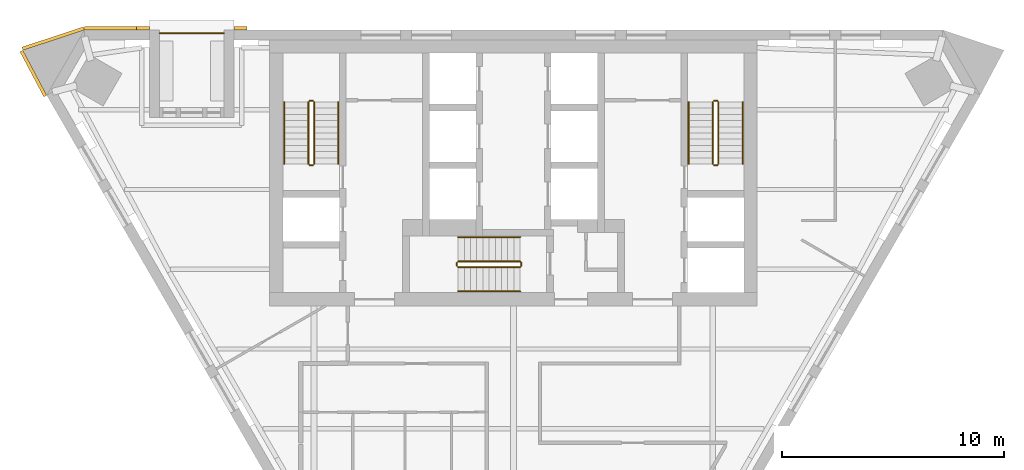
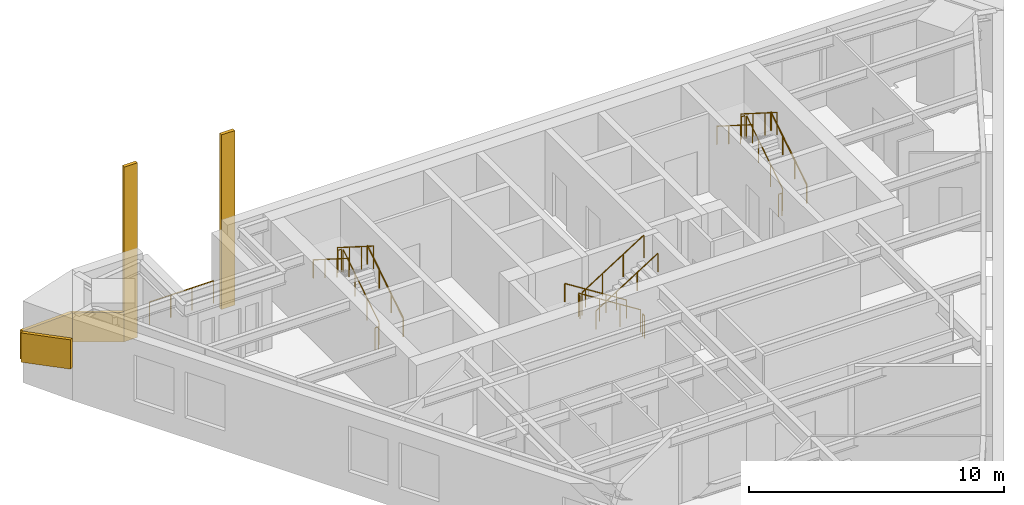
# One storey, part 6 of 6: 19 railings, 5 coverings.
"""IFC4 building model written with IfcOpenShell, lengths in metres."""

from ifc_helpers import new_model, si_unit, direction, frame, origin, origin_2d, place, context, subcontext, project, spatial, polyline, circle, outline, extrude, material, layer, layer_set, type_object, element, save


model = new_model("IFC4")

# Units and contexts
model_context = context("Model", 3, precision=1e-05, world=origin(), true_north=direction((0.0, 1.0)))
body_context = subcontext(model_context, "Body", "Model", "MODEL_VIEW")
ifc_project = project(units=[si_unit("LENGTHUNIT", "METRE"), si_unit("AREAUNIT", "SQUARE_METRE"), si_unit("VOLUMEUNIT", "CUBIC_METRE"), si_unit("PLANEANGLEUNIT", "RADIAN"), si_unit("MASSUNIT", "GRAM", prefix="KILO")], contexts=[model_context])

# Site, building, storey
site_placement = place(None, origin())
site = spatial("IfcSite", under=ifc_project, at=site_placement, CompositionType="ELEMENT")
building_placement = place(site_placement, origin())
building = spatial("IfcBuilding", under=site, at=building_placement, Name="Aloe Facet Convention Tower", CompositionType="ELEMENT")
storey_placement = place(building_placement, frame((0.0, 0.0, 191.89990234375)))
storey = spatial("IfcBuildingStorey", under=building, at=storey_placement, Name="L48", CompositionType="ELEMENT", Elevation=191.89990234375)

# Railings
ifc_material_1 = material(Name="Steel S355 balustrade", Category="steel")
railing_type_1 = type_object("IfcRailingType", Name="CR-RL-GUARD", PredefinedType="GUARDRAIL", material=ifc_material_1)
railing_1_placement = place(storey_placement, frame((71.0, 128.949951171875, 0.177490234375)))
element("IfcRailing", 1, at=railing_1_placement, inside=storey, type_object=railing_type_1, Name="L48 ST1 stair guard 1", PredefinedType="GUARDRAIL", context=body_context, shape_type="SweptSolid", body=[
    extrude(circle(Radius=0.02392578125, at=origin_2d()), frame((0.0, 0.0, 1.076171875), z_axis=(0.0, 0.844908973607, 0.534910110503), x_axis=(-1.0, 0.0, 0.0)), (0.0, 0.0, 1.0), 3.31396484375),
    extrude(circle(Radius=0.02099609375, at=origin_2d()), origin(), (0.0, 0.0, 1.0), 1.052001953125),
    extrude(circle(Radius=0.02099609375, at=origin_2d()), frame((0.0, 0.933349609375, 0.5908203125)), (0.0, 0.0, 1.0), 1.052001953125),
    extrude(circle(Radius=0.02099609375, at=origin_2d()), frame((0.0, 1.86669921875, 1.181884765625)), (0.0, 0.0, 1.0), 1.052001953125),
    extrude(circle(Radius=0.02099609375, at=origin_2d()), frame((0.0, 2.800048828125, 1.772705078125)), (0.0, 0.0, 1.0), 1.052001953125),
])
railing_2_placement = place(storey_placement, frame((70.949951171875, 131.800048828125, 1.9501953125)))
element("IfcRailing", 2, at=railing_2_placement, inside=storey, type_object=railing_type_1, Name="L48 ST1 stair guard 2", PredefinedType="GUARDRAIL", context=body_context, shape_type="SweptSolid", body=[
    extrude(circle(Radius=0.02392578125, at=origin_2d()), frame((0.0, 0.0, 1.076171875), z_axis=(-1.0, 0.0, 0.0), x_axis=(0.0, -1.0, 0.0)), (0.0, 0.0, 1.0), 0.14990234375),
    extrude(circle(Radius=0.02099609375, at=origin_2d()), origin(), (0.0, 0.0, 1.0), 1.052001953125),
    extrude(circle(Radius=0.02099609375, at=origin_2d()), frame((-0.14990234375, 0.0, 0.0)), (0.0, 0.0, 1.0), 1.052001953125),
])
railing_3_placement = place(storey_placement, frame((70.75, 131.75, 2.12744140625)))
element("IfcRailing", 3, at=railing_3_placement, inside=storey, type_object=railing_type_1, Name="L48 ST1 stair guard 3", PredefinedType="GUARDRAIL", context=body_context, shape_type="SweptSolid", body=[
    extrude(circle(Radius=0.02392578125, at=origin_2d()), frame((0.0, 0.0, 1.076171875), z_axis=(0.0, -0.844908973607, 0.534910110503), x_axis=(1.0, 0.0, 0.0)), (0.0, 0.0, 1.0), 3.31396484375),
    extrude(circle(Radius=0.02099609375, at=origin_2d()), origin(), (0.0, 0.0, 1.0), 1.052001953125),
    extrude(circle(Radius=0.02099609375, at=origin_2d()), frame((0.0, -0.933349609375, 0.5908203125)), (0.0, 0.0, 1.0), 1.052001953125),
    extrude(circle(Radius=0.02099609375, at=origin_2d()), frame((0.0, -1.86669921875, 1.181884765625)), (0.0, 0.0, 1.0), 1.052001953125),
    extrude(circle(Radius=0.02099609375, at=origin_2d()), frame((0.0, -2.800048828125, 1.772705078125)), (0.0, 0.0, 1.0), 1.052001953125),
])
railing_4_placement = place(storey_placement, frame((70.949951171875, 128.89990234375, 0.0)))
element("IfcRailing", 4, at=railing_4_placement, inside=storey, type_object=railing_type_1, Name="L48 ST1 stair guard 4", PredefinedType="GUARDRAIL", context=body_context, shape_type="SweptSolid", body=[
    extrude(circle(Radius=0.02392578125, at=origin_2d()), frame((0.0, 0.0, 1.076171875), z_axis=(-1.0, 0.0, 0.0), x_axis=(0.0, -1.0, 0.0)), (0.0, 0.0, 1.0), 0.14990234375),
    extrude(circle(Radius=0.02099609375, at=origin_2d()), origin(), (0.0, 0.0, 1.0), 1.052001953125),
    extrude(circle(Radius=0.02099609375, at=origin_2d()), frame((-0.14990234375, 0.0, 0.0)), (0.0, 0.0, 1.0), 1.052001953125),
])
railing_5_placement = place(storey_placement, frame((89.25, 128.949951171875, 0.177490234375)))
element("IfcRailing", 5, at=railing_5_placement, inside=storey, type_object=railing_type_1, Name="L48 ST2 stair guard 1", PredefinedType="GUARDRAIL", context=body_context, shape_type="SweptSolid", body=[
    extrude(circle(Radius=0.02392578125, at=origin_2d()), frame((0.0, 0.0, 1.076171875), z_axis=(0.0, 0.844908973607, 0.534910110503), x_axis=(-1.0, 0.0, 0.0)), (0.0, 0.0, 1.0), 3.31396484375),
    extrude(circle(Radius=0.02099609375, at=origin_2d()), origin(), (0.0, 0.0, 1.0), 1.052001953125),
    extrude(circle(Radius=0.02099609375, at=origin_2d()), frame((0.0, 0.933349609375, 0.5908203125)), (0.0, 0.0, 1.0), 1.052001953125),
    extrude(circle(Radius=0.02099609375, at=origin_2d()), frame((0.0, 1.86669921875, 1.181884765625)), (0.0, 0.0, 1.0), 1.052001953125),
    extrude(circle(Radius=0.02099609375, at=origin_2d()), frame((0.0, 2.800048828125, 1.772705078125)), (0.0, 0.0, 1.0), 1.052001953125),
])
railing_6_placement = place(storey_placement, frame((89.199951171875, 131.800048828125, 1.9501953125)))
element("IfcRailing", 6, at=railing_6_placement, inside=storey, type_object=railing_type_1, Name="L48 ST2 stair guard 2", PredefinedType="GUARDRAIL", context=body_context, shape_type="SweptSolid", body=[
    extrude(circle(Radius=0.02392578125, at=origin_2d()), frame((0.0, 0.0, 1.076171875), z_axis=(-1.0, 0.0, 0.0), x_axis=(0.0, -1.0, 0.0)), (0.0, 0.0, 1.0), 0.14990234375),
    extrude(circle(Radius=0.02099609375, at=origin_2d()), origin(), (0.0, 0.0, 1.0), 1.052001953125),
    extrude(circle(Radius=0.02099609375, at=origin_2d()), frame((-0.14990234375, 0.0, 0.0)), (0.0, 0.0, 1.0), 1.052001953125),
])
railing_7_placement = place(storey_placement, frame((89.0, 131.75, 2.12744140625)))
element("IfcRailing", 7, at=railing_7_placement, inside=storey, type_object=railing_type_1, Name="L48 ST2 stair guard 3", PredefinedType="GUARDRAIL", context=body_context, shape_type="SweptSolid", body=[
    extrude(circle(Radius=0.02392578125, at=origin_2d()), frame((0.0, 0.0, 1.076171875), z_axis=(0.0, -0.844908973607, 0.534910110503), x_axis=(1.0, 0.0, 0.0)), (0.0, 0.0, 1.0), 3.31396484375),
    extrude(circle(Radius=0.02099609375, at=origin_2d()), origin(), (0.0, 0.0, 1.0), 1.052001953125),
    extrude(circle(Radius=0.02099609375, at=origin_2d()), frame((0.0, -0.933349609375, 0.5908203125)), (0.0, 0.0, 1.0), 1.052001953125),
    extrude(circle(Radius=0.02099609375, at=origin_2d()), frame((0.0, -1.86669921875, 1.181884765625)), (0.0, 0.0, 1.0), 1.052001953125),
    extrude(circle(Radius=0.02099609375, at=origin_2d()), frame((0.0, -2.800048828125, 1.772705078125)), (0.0, 0.0, 1.0), 1.052001953125),
])
railing_8_placement = place(storey_placement, frame((89.199951171875, 128.89990234375, 0.0)))
element("IfcRailing", 8, at=railing_8_placement, inside=storey, type_object=railing_type_1, Name="L48 ST2 stair guard 4", PredefinedType="GUARDRAIL", context=body_context, shape_type="SweptSolid", body=[
    extrude(circle(Radius=0.02392578125, at=origin_2d()), frame((0.0, 0.0, 1.076171875), z_axis=(-1.0, 0.0, 0.0), x_axis=(0.0, -1.0, 0.0)), (0.0, 0.0, 1.0), 0.14990234375),
    extrude(circle(Radius=0.02099609375, at=origin_2d()), origin(), (0.0, 0.0, 1.0), 1.052001953125),
    extrude(circle(Radius=0.02099609375, at=origin_2d()), frame((-0.14990234375, 0.0, 0.0)), (0.0, 0.0, 1.0), 1.052001953125),
])
railing_9_placement = place(storey_placement, frame((80.300048828125, 124.550048828125, 0.177490234375)))
element("IfcRailing", 9, at=railing_9_placement, inside=storey, type_object=railing_type_1, Name="L48 ST3 stair guard 1", PredefinedType="GUARDRAIL", context=body_context, shape_type="SweptSolid", body=[
    extrude(circle(Radius=0.02392578125, at=origin_2d()), frame((0.0, 0.0, 1.076171875), z_axis=(-0.844908973607, 0.0, 0.534910110503), x_axis=(0.0, -1.0, 0.0)), (0.0, 0.0, 1.0), 3.31396484375),
    extrude(circle(Radius=0.02099609375, at=origin_2d()), origin(), (0.0, 0.0, 1.0), 1.052001953125),
    extrude(circle(Radius=0.02099609375, at=origin_2d()), frame((-0.933349609375, 0.0, 0.5908203125)), (0.0, 0.0, 1.0), 1.052001953125),
    extrude(circle(Radius=0.02099609375, at=origin_2d()), frame((-1.86669921875, 0.0, 1.181884765625)), (0.0, 0.0, 1.0), 1.052001953125),
    extrude(circle(Radius=0.02099609375, at=origin_2d()), frame((-2.800048828125, 0.0, 1.772705078125)), (0.0, 0.0, 1.0), 1.052001953125),
])
railing_10_placement = place(storey_placement, frame((77.449951171875, 124.5, 1.9501953125)))
element("IfcRailing", 10, at=railing_10_placement, inside=storey, type_object=railing_type_1, Name="L48 ST3 stair guard 2", PredefinedType="GUARDRAIL", context=body_context, shape_type="SweptSolid", body=[
    extrude(circle(Radius=0.02392578125, at=origin_2d()), frame((0.0, 0.0, 1.076171875), z_axis=(0.0, -1.0, 0.0), x_axis=(1.0, 0.0, 0.0)), (0.0, 0.0, 1.0), 0.14990234375),
    extrude(circle(Radius=0.02099609375, at=origin_2d()), origin(), (0.0, 0.0, 1.0), 1.052001953125),
    extrude(circle(Radius=0.02099609375, at=origin_2d()), frame((0.0, -0.14990234375, 0.0)), (0.0, 0.0, 1.0), 1.052001953125),
])
railing_11_placement = place(storey_placement, frame((77.5, 124.300048828125, 2.12744140625)))
element("IfcRailing", 11, at=railing_11_placement, inside=storey, type_object=railing_type_1, Name="L48 ST3 stair guard 3", PredefinedType="GUARDRAIL", context=body_context, shape_type="SweptSolid", body=[
    extrude(circle(Radius=0.02392578125, at=origin_2d()), frame((0.0, 0.0, 1.076171875), z_axis=(0.844908973607, 0.0, 0.534910110503), x_axis=(0.0, 1.0, 0.0)), (0.0, 0.0, 1.0), 3.31396484375),
    extrude(circle(Radius=0.02099609375, at=origin_2d()), origin(), (0.0, 0.0, 1.0), 1.052001953125),
    extrude(circle(Radius=0.02099609375, at=origin_2d()), frame((0.933349609375, 0.0, 0.5908203125)), (0.0, 0.0, 1.0), 1.052001953125),
    extrude(circle(Radius=0.02099609375, at=origin_2d()), frame((1.86669921875, 0.0, 1.181884765625)), (0.0, 0.0, 1.0), 1.052001953125),
    extrude(circle(Radius=0.02099609375, at=origin_2d()), frame((2.800048828125, 0.0, 1.772705078125)), (0.0, 0.0, 1.0), 1.052001953125),
])
railing_12_placement = place(storey_placement, frame((80.35009765625, 124.5, 0.0)))
element("IfcRailing", 12, at=railing_12_placement, inside=storey, type_object=railing_type_1, Name="L48 ST3 stair guard 4", PredefinedType="GUARDRAIL", context=body_context, shape_type="SweptSolid", body=[
    extrude(circle(Radius=0.02392578125, at=origin_2d()), frame((0.0, 0.0, 1.076171875), z_axis=(0.0, -1.0, 0.0), x_axis=(1.0, 0.0, 0.0)), (0.0, 0.0, 1.0), 0.14990234375),
    extrude(circle(Radius=0.02099609375, at=origin_2d()), origin(), (0.0, 0.0, 1.0), 1.052001953125),
    extrude(circle(Radius=0.02099609375, at=origin_2d()), frame((0.0, -0.14990234375, 0.0)), (0.0, 0.0, 1.0), 1.052001953125),
])
ifc_material_2 = material(Name="Steel S355 handrail", Category="steel")
railing_type_2 = type_object("IfcRailingType", Name="CR-RL-HAND", PredefinedType="HANDRAIL", material=ifc_material_2)
railing_13_placement = place(storey_placement, frame((72.10009765625, 128.949951171875, 0.177490234375)))
element("IfcRailing", 13, at=railing_13_placement, inside=storey, type_object=railing_type_2, Name="L48 ST1 stair handrail 1", PredefinedType="HANDRAIL", context=body_context, shape_type="SweptSolid", body=[
    extrude(circle(Radius=0.02392578125, at=origin_2d()), frame((0.0, 0.0, 0.8759765625), z_axis=(0.0, 0.844908973607, 0.534910110503), x_axis=(-1.0, 0.0, 0.0)), (0.0, 0.0, 1.0), 3.31396484375),
    extrude(circle(Radius=0.02099609375, at=origin_2d()), origin(), (0.0, 0.0, 1.0), 0.851806640625),
    extrude(circle(Radius=0.02099609375, at=origin_2d()), frame((0.0, 0.933349609375, 0.5908203125)), (0.0, 0.0, 1.0), 0.851806640625),
    extrude(circle(Radius=0.02099609375, at=origin_2d()), frame((0.0, 1.86669921875, 1.181884765625)), (0.0, 0.0, 1.0), 0.851806640625),
    extrude(circle(Radius=0.02099609375, at=origin_2d()), frame((0.0, 2.800048828125, 1.772705078125)), (0.0, 0.0, 1.0), 0.851806640625),
])
railing_14_placement = place(storey_placement, frame((69.64990234375, 131.75, 2.12744140625)))
element("IfcRailing", 14, at=railing_14_placement, inside=storey, type_object=railing_type_2, Name="L48 ST1 stair handrail 2", PredefinedType="HANDRAIL", context=body_context, shape_type="SweptSolid", body=[
    extrude(circle(Radius=0.02392578125, at=origin_2d()), frame((0.0, 0.0, 0.8759765625), z_axis=(0.0, -0.844908973607, 0.534910110503), x_axis=(1.0, 0.0, 0.0)), (0.0, 0.0, 1.0), 3.31396484375),
    extrude(circle(Radius=0.02099609375, at=origin_2d()), origin(), (0.0, 0.0, 1.0), 0.851806640625),
    extrude(circle(Radius=0.02099609375, at=origin_2d()), frame((0.0, -0.933349609375, 0.5908203125)), (0.0, 0.0, 1.0), 0.851806640625),
    extrude(circle(Radius=0.02099609375, at=origin_2d()), frame((0.0, -1.86669921875, 1.181884765625)), (0.0, 0.0, 1.0), 0.851806640625),
    extrude(circle(Radius=0.02099609375, at=origin_2d()), frame((0.0, -2.800048828125, 1.772705078125)), (0.0, 0.0, 1.0), 0.851806640625),
])
railing_15_placement = place(storey_placement, frame((90.35009765625, 128.949951171875, 0.177490234375)))
element("IfcRailing", 15, at=railing_15_placement, inside=storey, type_object=railing_type_2, Name="L48 ST2 stair handrail 1", PredefinedType="HANDRAIL", context=body_context, shape_type="SweptSolid", body=[
    extrude(circle(Radius=0.02392578125, at=origin_2d()), frame((0.0, 0.0, 0.8759765625), z_axis=(0.0, 0.844908973607, 0.534910110503), x_axis=(-1.0, 0.0, 0.0)), (0.0, 0.0, 1.0), 3.31396484375),
    extrude(circle(Radius=0.02099609375, at=origin_2d()), origin(), (0.0, 0.0, 1.0), 0.851806640625),
    extrude(circle(Radius=0.02099609375, at=origin_2d()), frame((0.0, 0.933349609375, 0.5908203125)), (0.0, 0.0, 1.0), 0.851806640625),
    extrude(circle(Radius=0.02099609375, at=origin_2d()), frame((0.0, 1.86669921875, 1.181884765625)), (0.0, 0.0, 1.0), 0.851806640625),
    extrude(circle(Radius=0.02099609375, at=origin_2d()), frame((0.0, 2.800048828125, 1.772705078125)), (0.0, 0.0, 1.0), 0.851806640625),
])
railing_16_placement = place(storey_placement, frame((87.89990234375, 131.75, 2.12744140625)))
element("IfcRailing", 16, at=railing_16_placement, inside=storey, type_object=railing_type_2, Name="L48 ST2 stair handrail 2", PredefinedType="HANDRAIL", context=body_context, shape_type="SweptSolid", body=[
    extrude(circle(Radius=0.02392578125, at=origin_2d()), frame((0.0, 0.0, 0.8759765625), z_axis=(0.0, -0.844908973607, 0.534910110503), x_axis=(1.0, 0.0, 0.0)), (0.0, 0.0, 1.0), 3.31396484375),
    extrude(circle(Radius=0.02099609375, at=origin_2d()), origin(), (0.0, 0.0, 1.0), 0.851806640625),
    extrude(circle(Radius=0.02099609375, at=origin_2d()), frame((0.0, -0.933349609375, 0.5908203125)), (0.0, 0.0, 1.0), 0.851806640625),
    extrude(circle(Radius=0.02099609375, at=origin_2d()), frame((0.0, -1.86669921875, 1.181884765625)), (0.0, 0.0, 1.0), 0.851806640625),
    extrude(circle(Radius=0.02099609375, at=origin_2d()), frame((0.0, -2.800048828125, 1.772705078125)), (0.0, 0.0, 1.0), 0.851806640625),
])
railing_17_placement = place(storey_placement, frame((80.300048828125, 125.64990234375, 0.177490234375)))
element("IfcRailing", 17, at=railing_17_placement, inside=storey, type_object=railing_type_2, Name="L48 ST3 stair handrail 1", PredefinedType="HANDRAIL", context=body_context, shape_type="SweptSolid", body=[
    extrude(circle(Radius=0.02392578125, at=origin_2d()), frame((0.0, 0.0, 0.8759765625), z_axis=(-0.844908973607, 0.0, 0.534910110503), x_axis=(0.0, -1.0, 0.0)), (0.0, 0.0, 1.0), 3.31396484375),
    extrude(circle(Radius=0.02099609375, at=origin_2d()), origin(), (0.0, 0.0, 1.0), 0.851806640625),
    extrude(circle(Radius=0.02099609375, at=origin_2d()), frame((-0.933349609375, 0.0, 0.5908203125)), (0.0, 0.0, 1.0), 0.851806640625),
    extrude(circle(Radius=0.02099609375, at=origin_2d()), frame((-1.86669921875, 0.0, 1.181884765625)), (0.0, 0.0, 1.0), 0.851806640625),
    extrude(circle(Radius=0.02099609375, at=origin_2d()), frame((-2.800048828125, 0.0, 1.772705078125)), (0.0, 0.0, 1.0), 0.851806640625),
])
railing_18_placement = place(storey_placement, frame((77.5, 123.199951171875, 2.12744140625)))
element("IfcRailing", 18, at=railing_18_placement, inside=storey, type_object=railing_type_2, Name="L48 ST3 stair handrail 2", PredefinedType="HANDRAIL", context=body_context, shape_type="SweptSolid", body=[
    extrude(circle(Radius=0.02392578125, at=origin_2d()), frame((0.0, 0.0, 0.8759765625), z_axis=(0.844908973607, 0.0, 0.534910110503), x_axis=(0.0, 1.0, 0.0)), (0.0, 0.0, 1.0), 3.31396484375),
    extrude(circle(Radius=0.02099609375, at=origin_2d()), origin(), (0.0, 0.0, 1.0), 0.851806640625),
    extrude(circle(Radius=0.02099609375, at=origin_2d()), frame((0.933349609375, 0.0, 0.5908203125)), (0.0, 0.0, 1.0), 0.851806640625),
    extrude(circle(Radius=0.02099609375, at=origin_2d()), frame((1.86669921875, 0.0, 1.181884765625)), (0.0, 0.0, 1.0), 0.851806640625),
    extrude(circle(Radius=0.02099609375, at=origin_2d()), frame((2.800048828125, 0.0, 1.772705078125)), (0.0, 0.0, 1.0), 0.851806640625),
])

# Coverings
ifc_material_3 = material(Name="Bronze oxide fascia sheet")
ifc_layer = layer(ifc_material_3, 0.14990234375)
ifc_layer_set = layer_set([ifc_layer], Name="EV-FASCIA-TERR")
covering_type = type_object("IfcCoveringType", Name="EV-FASCIA-TERR", PredefinedType="CLADDING", material=ifc_layer_set)
covering_1_placement = place(storey_placement, frame((0.0, 0.0, -0.5498046875)))
element("IfcCovering", 19, at=covering_1_placement, inside=storey, type_object=covering_type, Name="Terrace frame T10 1", PredefinedType="CLADDING", context=body_context, shape_type="SweptSolid", body=[
    extrude(outline(polyline([(67.9765625, 135.14990234375), (67.37646484375, 135.14990234375), (67.37646484375, 135.0), (67.9765625, 135.0), (67.9765625, 135.14990234375)])), origin(), (0.0, 0.0, 1.0), 8.349853515625),
])
covering_2_placement = place(storey_placement, frame((0.0, 0.0, -0.5498046875)))
element("IfcCovering", 20, at=covering_2_placement, inside=storey, type_object=covering_type, Name="Terrace frame T10 2", PredefinedType="CLADDING", context=body_context, shape_type="SweptSolid", body=[
    extrude(outline(polyline([(63.576416015625, 135.14990234375), (62.9765625, 135.14990234375), (62.9765625, 135.0), (63.576416015625, 135.0), (63.576416015625, 135.14990234375)])), origin(), (0.0, 0.0, 1.0), 8.349853515625),
])
covering_3_placement = place(storey_placement, frame((62.9765625, 135.14990234375, -0.5498046875), z_axis=(0.0, 1.0, 0.0), x_axis=(-0.945328971328, 0.0, 0.326118285239)))
element("IfcCovering", 21, at=covering_3_placement, inside=storey, type_object=covering_type, Name="Spiral ribbon zone 4 part 2", PredefinedType="CLADDING", context=body_context, shape_type="SweptSolid", body=[
    extrude(outline(polyline([(0.0, 0.0), (2.4764547836031383, 0.0), (2.933068154170603, 1.3235990357833796), (0.4565337518454826, 1.3233682425774886), (0.0, 0.0)])), origin(), (0.0, 0.0, -1.0), 0.14990234375),
])
covering_4_placement = place(storey_placement, frame((60.588134765625, 135.142333984375, 0.2578125), z_axis=(-0.314246322004, 0.949341481821, 0.0), x_axis=(-0.926189391143, -0.306582631455, 0.219500118052)))
element("IfcCovering", 22, at=covering_4_placement, inside=storey, type_object=covering_type, Name="Spiral ribbon zone 4 part 3 over the corner spine", PredefinedType="CLADDING", context=body_context, shape_type="SweptSolid", body=[
    extrude(outline(polyline([(0.0, 0.0), (2.9941968520646274, 0.0), (3.301529170675448, 1.3660003746869798), (0.3073323186108203, 1.3660003746869798), (0.0, 0.0)])), origin(), (0.0, 0.0, -1.0), 0.14990234375),
])
covering_5_placement = place(storey_placement, frame((57.7294921875, 134.01171875, 0.9150390625), z_axis=(-0.88370502816, -0.468044253469, 0.0), x_axis=(0.456620851883, -0.862136731263, 0.219585186734)))
element("IfcCovering", 23, at=covering_5_placement, inside=storey, type_object=covering_type, Name="Spiral ribbon zone 4 part 4 over the corner spine", PredefinedType="CLADDING", context=body_context, shape_type="SweptSolid", body=[
    extrude(outline(polyline([(0.0, 0.0), (2.3504011765418023, 0.0), (2.6577989941030666, 1.3657353893764763), (0.3074514272259943, 1.3659735713418366), (0.0, 0.0)])), origin(), (0.0, 0.0, -1.0), 0.14990234375),
])

# Railing
ifc_material_4 = material(Name="Steel S355, bronze oxide finish", Category="steel")
railing_type_3 = type_object("IfcRailingType", Name="EV-GUARD-TERR", PredefinedType="GUARDRAIL", material=ifc_material_4)
railing_19_placement = place(storey_placement, frame((66.926513671875, 134.85009765625, 0.0)))
element("IfcRailing", 24, at=railing_19_placement, inside=storey, type_object=railing_type_3, Name="GUARD T10", PredefinedType="GUARDRAIL", context=body_context, shape_type="SweptSolid", body=[
    extrude(circle(Radius=0.02392578125, at=origin_2d()), frame((0.0, 0.0, 1.076171875), z_axis=(-1.0, 0.0, 0.0), x_axis=(0.0, -1.0, 0.0)), (0.0, 0.0, 1.0), 2.89990234375),
    extrude(circle(Radius=0.02099609375, at=origin_2d()), origin(), (0.0, 0.0, 1.0), 1.052001953125),
    extrude(circle(Radius=0.02099609375, at=origin_2d()), frame((-0.966552734375, 0.0, 0.0)), (0.0, 0.0, 1.0), 1.052001953125),
    extrude(circle(Radius=0.02099609375, at=origin_2d()), frame((-1.933349609375, 0.0, 0.0)), (0.0, 0.0, 1.0), 1.052001953125),
    extrude(circle(Radius=0.02099609375, at=origin_2d()), frame((-2.89990234375, 0.0, 0.0)), (0.0, 0.0, 1.0), 1.052001953125),
])

save(model, "model.ifc")
